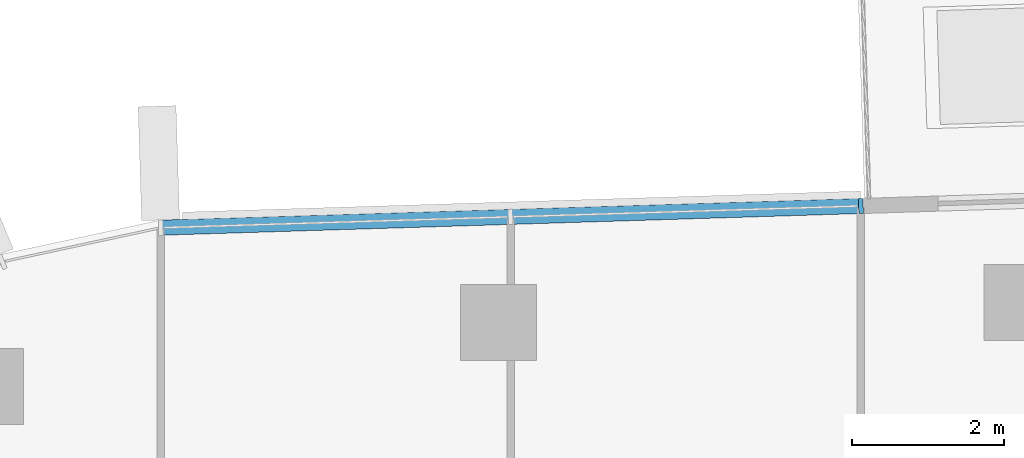
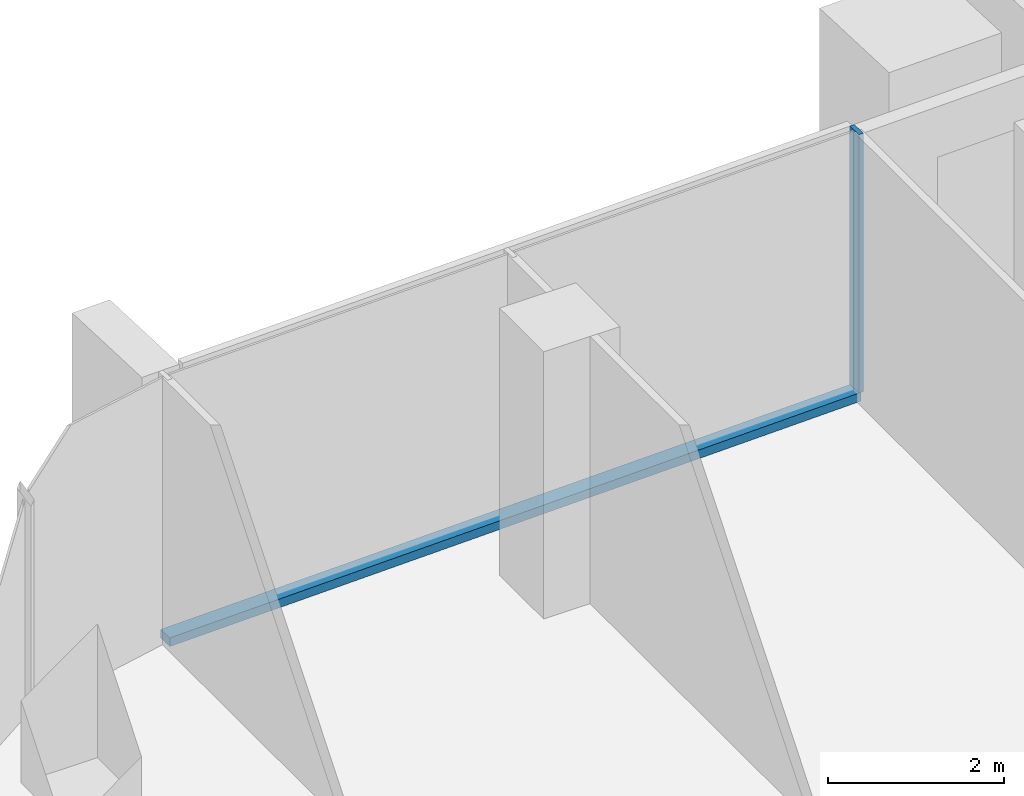
# One storey, part 7 of 24: 2 members, 1 element without a shape of its own.
"""IFC4 building model written with IfcOpenShell, lengths in metres."""

from ifc_helpers import new_model, si_unit, direction, frame, origin, origin_2d, place, context, subcontext, project, spatial, rectangle, extrude, material, layer, layer_set, material_profile, profile_set, type_object, element, aggregate, save


model = new_model("IFC4")

# Units and contexts
model_context = context("Model", 3, precision=1e-05, world=origin(), true_north=direction((0.0, 1.0)))
body_context = subcontext(model_context, "Body", "Model", "MODEL_VIEW")
ifc_project = project(units=[si_unit("LENGTHUNIT", "METRE"), si_unit("AREAUNIT", "SQUARE_METRE"), si_unit("VOLUMEUNIT", "CUBIC_METRE"), si_unit("PLANEANGLEUNIT", "RADIAN"), si_unit("MASSUNIT", "GRAM", prefix="KILO")], contexts=[model_context])

# Site, building, storey
site_placement = place(None, origin())
site = spatial("IfcSite", under=ifc_project, at=site_placement, CompositionType="ELEMENT")
building_placement = place(site_placement, origin())
building = spatial("IfcBuilding", under=site, at=building_placement, Name="Dongbaek Canopy Tower", CompositionType="ELEMENT")
storey_placement = place(building_placement, frame((0.0, 0.0, 348.800048828125)))
storey = spatial("IfcBuildingStorey", under=building, at=storey_placement, Name="L75", CompositionType="ELEMENT", Elevation=348.800048828125)

# Curtain wall, members
ifc_material_1 = material(Name="Aluminium 6063-T6 pale anodised", Category="aluminium")
ifc_layer = layer(ifc_material_1, 0.199951171875)
ifc_layer_set = layer_set([ifc_layer], Name="CW-1 unitised tower curtain wall")
curtain_wall_type = type_object("IfcCurtainWallType", Name="CW-1 unitised tower curtain wall", PredefinedType="NOTDEFINED", material=ifc_layer_set)
curtain_wall_placement = place(storey_placement, origin())
curtain_wall = element("IfcCurtainWall", 1, at=curtain_wall_placement, inside=storey, type_object=curtain_wall_type, Name="CW-1 curtain wall F1.1", PredefinedType="NOTDEFINED")
ifc_material_2 = material(Name="Aluminium 6063-T6 pale anodised", Category="aluminium")
ifc_material_profile_1 = material_profile(ifc_material_2, rectangle(XDim=0.199951171875, YDim=0.06005859375, at=origin_2d()), Name="CW-1 mullion 60 x 200")
ifc_profile_set_1 = profile_set([ifc_material_profile_1], Name="Aluminium 6063-T6 pale anodised")
member_type_1 = type_object("IfcMemberType", Name="CW-1 mullion 60 x 200", PredefinedType="MULLION", material=ifc_profile_set_1)
member_1_placement = place(storey_placement, frame((-3.536865234375, 28.696533203125, 0.119873046875), z_axis=(0.0, 0.0, 1.0), x_axis=(-0.031003432615, 0.999519278036, 0.0)))
member_1 = element("IfcMember", 2, at=member_1_placement, type_object=member_type_1, Name="CW-1 mullion F1.1.1", PredefinedType="MULLION", context=body_context, shape_type="SweptSolid", body=[
    extrude(rectangle(XDim=0.199951171875, YDim=0.06005859375, at=origin_2d()), origin(), (0.0, 0.0, 1.0), 3.580078125),
])
ifc_material_3 = material(Name="Aluminium 6063-T6 pale anodised", Category="aluminium")
ifc_material_profile_2 = material_profile(ifc_material_3, rectangle(XDim=0.199951171875, YDim=0.1201171875, at=origin_2d()), Name="CW-1 transom 120 x 200")
ifc_profile_set_2 = profile_set([ifc_material_profile_2], Name="Aluminium 6063-T6 pale anodised")
member_type_2 = type_object("IfcMemberType", Name="CW-1 transom 120 x 200", PredefinedType="USERDEFINED", material=ifc_profile_set_2)
member_2_placement = place(storey_placement, frame((-3.536865234375, 28.696533203125, 0.06005859375), z_axis=(-0.999519612405, -0.030992651029, 0.0), x_axis=(0.030992651029, -0.999519612405, 0.0)))
member_2 = element("IfcMember", 3, at=member_2_placement, type_object=member_type_2, Name="CW-1 transom F1.1.1", ObjectType="TRANSOM", PredefinedType="USERDEFINED", context=body_context, shape_type="SweptSolid", body=[
    extrude(rectangle(XDim=0.199951171875, YDim=0.1201171875, at=origin_2d()), origin(), (0.0, 0.0, 1.0), 9.224365234375),
])
aggregate(curtain_wall, [member_1, member_2])

save(model, "model.ifc")
